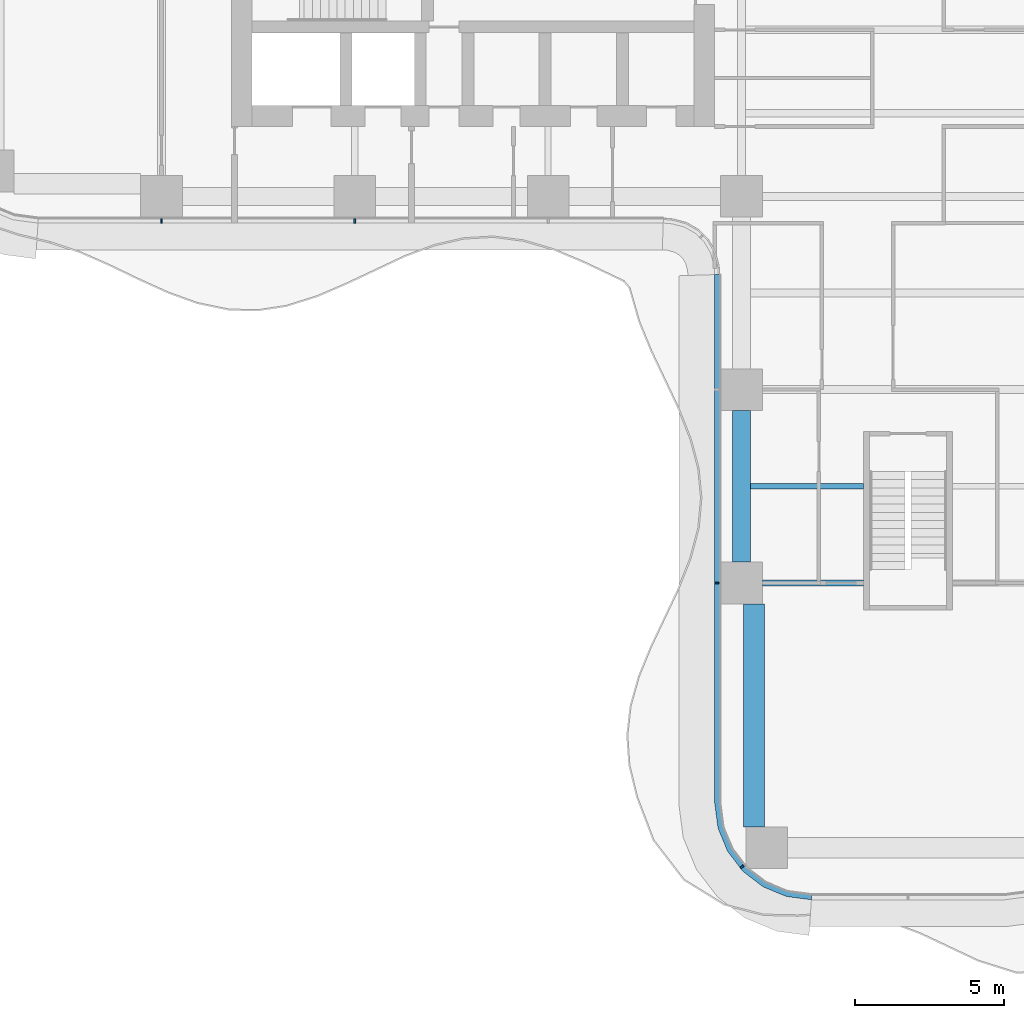
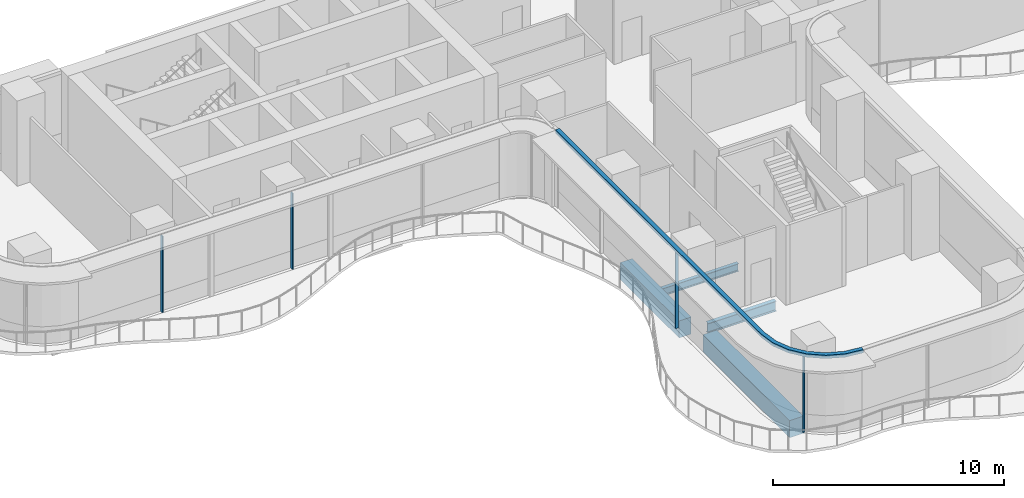
# One storey, part 2 of 22: 5 members, 4 beams, 2 elements without a shape of their own.
"""IFC4 building model written with IfcOpenShell, lengths in metres."""

from ifc_helpers import new_model, si_unit, direction, frame, origin, origin_2d, place, context, subcontext, project, spatial, polyline, rectangle, i_section, outline, extrude, source, transform, mapped, material, layer, layer_set, material_profile, profile_set, type_object, element, aggregate, save


model = new_model("IFC4")

# Units and contexts
model_context = context("Model", 3, precision=1e-05, world=origin(), true_north=direction((0.0, 1.0)))
body_context = subcontext(model_context, "Body", "Model", "MODEL_VIEW")
ifc_project = project(units=[si_unit("LENGTHUNIT", "METRE"), si_unit("AREAUNIT", "SQUARE_METRE"), si_unit("VOLUMEUNIT", "CUBIC_METRE"), si_unit("PLANEANGLEUNIT", "RADIAN"), si_unit("MASSUNIT", "GRAM", prefix="KILO")], contexts=[model_context])

# Site, building, storey
site_placement = place(None, origin())
site = spatial("IfcSite", under=ifc_project, at=site_placement, CompositionType="ELEMENT")
building_placement = place(site_placement, origin())
building = spatial("IfcBuilding", under=site, at=building_placement, Name="Trellis Farm Tower", CompositionType="ELEMENT")
storey_placement = place(building_placement, frame((0.0, 0.0, 88.0)))
storey = spatial("IfcBuildingStorey", under=building, at=storey_placement, Name="L18", CompositionType="ELEMENT", Elevation=88.0)

# Beams
ifc_material_1 = material(Name="Steel S355", Category="steel")
ifc_material_profile_1 = material_profile(ifc_material_1, i_section(OverallWidth=0.209228515625, OverallDepth=0.533203125, WebThickness=0.010009765625, FlangeThickness=0.015625, FilletRadius=0.0126953125, at=origin_2d()), Name="UB 533x210x92")
ifc_profile_set_1 = profile_set([ifc_material_profile_1], Name="Steel S355")
beam_type_1 = type_object("IfcBeamType", Name="UB 533x210x92", PredefinedType="BEAM", material=ifc_profile_set_1)
shared_shape_1 = source(origin(), body_context, "Body", "SweptSolid", [
    extrude(i_section(OverallWidth=0.209228515625, OverallDepth=0.533203125, WebThickness=0.010009765625, FlangeThickness=0.015625, FilletRadius=0.0126953125, at=origin_2d()), origin(), (0.0, 0.0, 1.0), 3.39990234375),
])
beam_1_placement = place(storey_placement, frame((-4.89990234375, -18.60009765625, -0.5166015625), z_axis=(1.0, 0.0, 0.0), x_axis=(0.0, 1.0, 0.0)))
element("IfcBeam", 1, at=beam_1_placement, inside=storey, type_object=beam_type_1, Name="Girder", PredefinedType="BEAM", context=body_context, shape_type="MappedRepresentation", body=[
    mapped(shared_shape_1, transform((0.0, 0.0, 0.0))),
])
ifc_material_2 = material(Name="Concrete C60/75", Category="concrete")
ifc_material_profile_2 = material_profile(ifc_material_2, rectangle(XDim=0.60009765625, YDim=0.89990234375, at=origin_2d()), Name="RC spandrel beam 600x900 C60/75")
ifc_profile_set_2 = profile_set([ifc_material_profile_2], Name="Concrete C60/75")
beam_type_2 = type_object("IfcBeamType", Name="RC spandrel beam 600x900 C60/75", PredefinedType="SPANDREL", material=ifc_profile_set_2)
shared_shape_2 = source(origin(), body_context, "Body", "SweptSolid", [
    extrude(rectangle(XDim=0.60009765625, YDim=0.89990234375, at=origin_2d()), origin(), (0.0, 0.0, 1.0), 5.099853515625),
])
beam_2_placement = place(storey_placement, frame((-5.60009765625, -17.89990234375, -0.699951171875), z_axis=(0.0, 1.0, 0.0), x_axis=(-1.0, 0.0, 0.0)))
element("IfcBeam", 2, at=beam_2_placement, inside=storey, type_object=beam_type_2, Name="Girder", PredefinedType="SPANDREL", context=body_context, shape_type="MappedRepresentation", body=[
    mapped(shared_shape_2, transform((0.0, 0.0, 0.0))),
])
ifc_material_profile_3 = material_profile(ifc_material_2, rectangle(XDim=0.699951171875, YDim=0.89990234375, at=origin_2d()), Name="RC spandrel beam 700x900 C60/75")
ifc_profile_set_3 = profile_set([ifc_material_profile_3], Name="Concrete C60/75")
beam_type_3 = type_object("IfcBeamType", Name="RC spandrel beam 700x900 C60/75", PredefinedType="SPANDREL", material=ifc_profile_set_3)
shared_shape_3 = source(origin(), body_context, "Body", "SweptSolid", [
    extrude(rectangle(XDim=0.699951171875, YDim=0.89990234375, at=origin_2d()), origin(), (0.0, 0.0, 1.0), 7.5),
])
beam_3_placement = place(storey_placement, frame((-5.175048828125, -26.800048828125, -0.699951171875), z_axis=(0.0, 1.0, 0.0), x_axis=(-1.0, 0.0, 0.0)))
element("IfcBeam", 3, at=beam_3_placement, inside=storey, type_object=beam_type_3, Name="Girder", PredefinedType="SPANDREL", context=body_context, shape_type="MappedRepresentation", body=[
    mapped(shared_shape_3, transform((0.0, 0.0, 0.0))),
])
ifc_material_profile_4 = material_profile(ifc_material_1, i_section(OverallWidth=0.177978515625, OverallDepth=0.406494140625, WebThickness=0.0078125, FlangeThickness=0.0126953125, FilletRadius=0.01025390625, at=origin_2d()), Name="UB 406x178x60")
ifc_profile_set_4 = profile_set([ifc_material_profile_4], Name="Steel S355")
beam_type_4 = type_object("IfcBeamType", Name="UB 406x178x60 joist", PredefinedType="JOIST", material=ifc_profile_set_4)
shared_shape_4 = source(origin(), body_context, "Body", "SweptSolid", [
    extrude(i_section(OverallWidth=0.177978515625, OverallDepth=0.406494140625, WebThickness=0.0078125, FlangeThickness=0.0126953125, FilletRadius=0.01025390625, at=origin_2d()), origin(), (0.0, 0.0, 1.0), 3.800048828125),
])
beam_4_placement = place(storey_placement, frame((-5.300048828125, -15.35009765625, -0.453125), z_axis=(1.0, 0.0, 0.0), x_axis=(0.0, 1.0, 0.0)))
element("IfcBeam", 4, at=beam_4_placement, inside=storey, type_object=beam_type_4, Name="Floor beam", PredefinedType="JOIST", context=body_context, shape_type="MappedRepresentation", body=[
    mapped(shared_shape_4, transform((0.0, 0.0, 0.0))),
])

# Curtain wall, member
ifc_material_3 = material(Name="Aluminium and glass curtain wall", Category="aluminium")
ifc_layer_1 = layer(ifc_material_3, 0.18994140625)
ifc_layer_set_1 = layer_set([ifc_layer_1], Name="RIBBON CURTAIN WALL CW1")
curtain_wall_type = type_object("IfcCurtainWallType", Name="RIBBON CURTAIN WALL CW1", PredefinedType="NOTDEFINED", material=ifc_layer_set_1)
placement = place(storey_placement, origin())
curtain_wall_1 = element("IfcCurtainWall", 5, at=placement, inside=storey, type_object=curtain_wall_type, Name="CW1 002", PredefinedType="NOTDEFINED")
ifc_material_4 = material(Name="Aluminium extrusion 6063-T6", Category="aluminium")
ifc_layer_2 = layer(ifc_material_4, 0.199951171875)
ifc_layer_set_2 = layer_set([ifc_layer_2], Name="Aluminium extrusion 6063-T6")
member_type_1 = type_object("IfcMemberType", Name="CW1 TRANSOM 200x180", PredefinedType="USERDEFINED", material=ifc_layer_set_2)
shared_shape_5 = source(origin(), body_context, "Body", "SweptSolid", [
    extrude(outline(polyline([(-6.5, -8.2314453125), (-6.5, -26.0), (-6.38916015625, -26.841064453125), (-6.064697265625, -27.625), (-5.548095703125, -28.298095703125), (-4.875, -28.814697265625), (-4.091064453125, -29.13916015625), (-3.25, -29.25), (-3.23681640625, -29.050048828125), (-4.0390625, -28.9443359375), (-4.774169921875, -28.639892578125), (-5.405517578125, -28.155517578125), (-5.889892578125, -27.524169921875), (-6.1943359375, -26.7890625), (-6.300048828125, -25.98681640625), (-6.300048828125, -8.224853515625), (-6.5, -8.2314453125)])), origin(), (0.0, 0.0, 1.0), 0.179931640625),
])
member_1_placement = place(storey_placement, frame((0.0, 0.0, 4.02001953125)))
member_1 = element("IfcMember", 6, at=member_1_placement, type_object=member_type_1, Name="TR1 002", ObjectType="TRANSOM", PredefinedType="USERDEFINED", context=body_context, shape_type="MappedRepresentation", body=[
    mapped(shared_shape_5, transform((0.0, 0.0, 0.0))),
])

# Curtain wall, members
curtain_wall_2 = element("IfcCurtainWall", 7, at=placement, inside=storey, type_object=curtain_wall_type, Name="CW1 001", PredefinedType="NOTDEFINED")
ifc_material_profile_5 = material_profile(ifc_material_4, rectangle(XDim=0.06005859375, YDim=0.14990234375, at=origin_2d()), Name="MULLION 60x150")
ifc_profile_set_5 = profile_set([ifc_material_profile_5], Name="Aluminium extrusion 6063-T6")
member_type_2 = type_object("IfcMemberType", Name="CW1 MULLION 60x150", PredefinedType="MULLION", material=ifc_profile_set_5)
shared_shape_6 = source(origin(), body_context, "Body", "SweptSolid", [
    extrude(rectangle(XDim=0.06005859375, YDim=0.14990234375, at=origin_2d()), origin(), (0.0, 0.0, 1.0), 4.02001953125),
])
member_2_placement = place(storey_placement, frame((-25.10009765625, -6.425048828125, 0.0), z_axis=(0.0, 0.0, 1.0), x_axis=(1.0, 0.0, 0.0)))
member_2 = element("IfcMember", 8, at=member_2_placement, type_object=member_type_2, Name="MU1 001-01", PredefinedType="MULLION", context=body_context, shape_type="MappedRepresentation", body=[
    mapped(shared_shape_6, transform((0.0, 0.0, 0.0))),
])
member_3_placement = place(storey_placement, frame((-18.60009765625, -6.425048828125, 0.0), z_axis=(0.0, 0.0, 1.0), x_axis=(1.0, 0.0, 0.0)))
member_3 = element("IfcMember", 9, at=member_3_placement, type_object=member_type_2, Name="MU1 001-02", PredefinedType="MULLION", context=body_context, shape_type="MappedRepresentation", body=[
    mapped(shared_shape_6, transform((0.0, 0.0, 0.0))),
])
aggregate(curtain_wall_2, [member_2, member_3])

# Member
member_4_placement = place(storey_placement, frame((-6.425048828125, -18.60009765625, 0.0), z_axis=(0.0, 0.0, 1.0), x_axis=(0.0, -1.0, 0.0)))
member_4 = element("IfcMember", 10, at=member_4_placement, type_object=member_type_2, Name="MU1 002-02", PredefinedType="MULLION", context=body_context, shape_type="MappedRepresentation", body=[
    mapped(shared_shape_6, transform((0.0, 0.0, 0.0))),
])

member_5_placement = place(storey_placement, frame((-5.578369140625, -28.135498046875, 0.0), z_axis=(0.0, 0.0, 1.0), x_axis=(0.608761429009, -0.793353340291, 0.0)))
member_5 = element("IfcMember", 11, at=member_5_placement, type_object=member_type_2, Name="MU1 002-03", PredefinedType="MULLION", context=body_context, shape_type="MappedRepresentation", body=[
    mapped(shared_shape_6, transform((0.0, 0.0, 0.0))),
])

aggregate(curtain_wall_1, [member_4, member_5, member_1])

save(model, "model.ifc")
